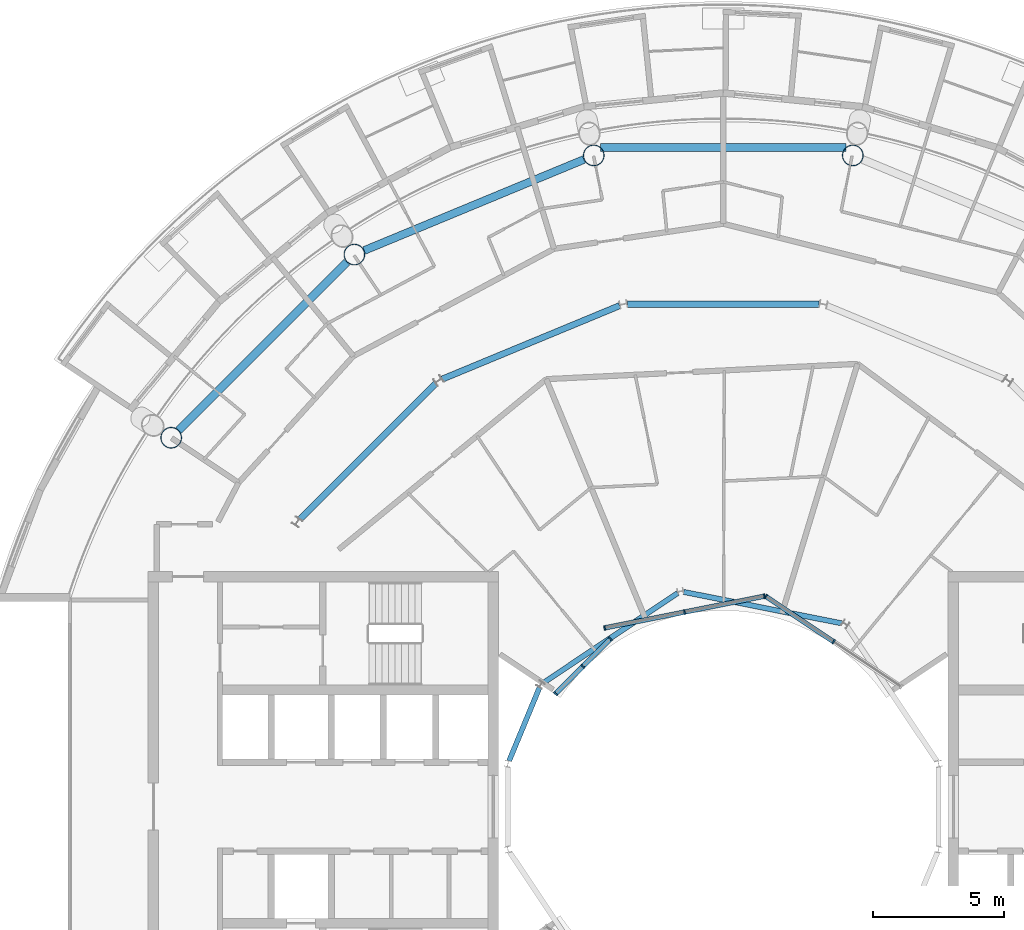
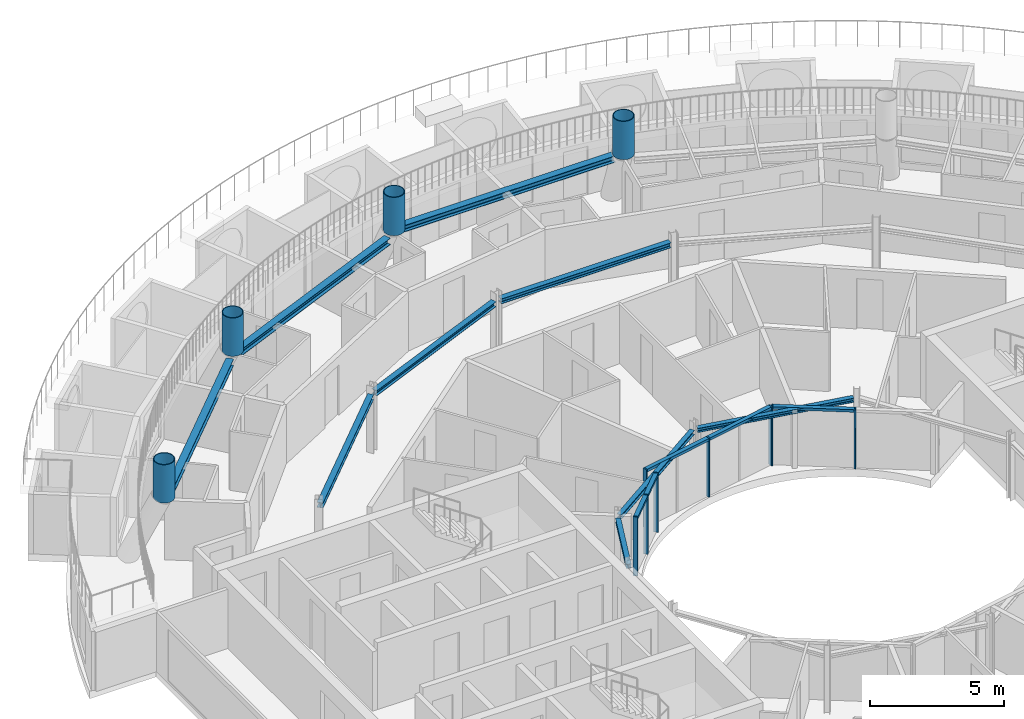
# One storey, part 9 of 29: 17 members, 9 beams, 3 elements without a shape of their own.
"""IFC4 building model written with IfcOpenShell, lengths in metres."""

from ifc_helpers import new_model, si_unit, direction, frame, origin, origin_2d, place, context, subcontext, project, spatial, rectangle, hollow_circle, i_section, extrude, material, layer, layer_set, material_profile, profile_set, type_object, element, aggregate, save


model = new_model("IFC4")

# Units and contexts
model_context = context("Model", 3, precision=1e-05, world=origin(), true_north=direction((0.0, 1.0)))
body_context = subcontext(model_context, "Body", "Model", "MODEL_VIEW")
ifc_project = project(units=[si_unit("LENGTHUNIT", "METRE"), si_unit("AREAUNIT", "SQUARE_METRE"), si_unit("VOLUMEUNIT", "CUBIC_METRE"), si_unit("PLANEANGLEUNIT", "RADIAN"), si_unit("MASSUNIT", "GRAM", prefix="KILO")], contexts=[model_context])

# Site, building, storey
site_placement = place(None, origin())
site = spatial("IfcSite", under=ifc_project, at=site_placement, CompositionType="ELEMENT")
building_placement = place(site_placement, origin())
building = spatial("IfcBuilding", under=site, at=building_placement, Name="Maasbend Ring Residences", CompositionType="ELEMENT")
storey_placement = place(building_placement, frame((0.0, 0.0, 234.050048828125)))
storey = spatial("IfcBuildingStorey", under=building, at=storey_placement, Name="L67", CompositionType="ELEMENT", Elevation=234.050048828125)

# Curtain wall, members
ifc_material_1 = material(Name="Aluminium and clear glass", Category="aluminium")
ifc_layer = layer(ifc_material_1, 0.179931640625)
ifc_layer_set = layer_set([ifc_layer], Name="CW-W")
curtain_wall_type = type_object("IfcCurtainWallType", Name="CW-W", PredefinedType="NOTDEFINED", material=ifc_layer_set)
curtain_wall_1_placement = place(storey_placement, origin())
curtain_wall_1 = element("IfcCurtainWall", 1, at=curtain_wall_1_placement, inside=storey, type_object=curtain_wall_type, Name="Well curtain wall N1", PredefinedType="NOTDEFINED")
ifc_material_2 = material(Name="Aluminium 6063-T6", Category="aluminium")
ifc_material_profile_1 = material_profile(ifc_material_2, rectangle(XDim=0.179931640625, YDim=0.06005859375, at=origin_2d()), Name="AL 180x60")
ifc_profile_set_1 = profile_set([ifc_material_profile_1], Name="Aluminium 6063-T6")
member_type_1 = type_object("IfcMemberType", Name="CWM-W", PredefinedType="MULLION", material=ifc_profile_set_1)
member_1_placement = place(storey_placement, frame((4.216796875, 6.310791015625, 0.0), z_axis=(0.0, 0.0, 1.0), x_axis=(-0.55557023302, -0.831469612303, 0.0)))
member_1 = element("IfcMember", 2, at=member_1_placement, type_object=member_type_1, Name="Mullion well face", PredefinedType="MULLION", context=body_context, shape_type="SweptSolid", body=[
    extrude(rectangle(XDim=0.179931640625, YDim=0.06005859375, at=origin_2d()), origin(), (0.0, 0.0, 1.0), 2.699951171875),
])
member_2_placement = place(storey_placement, frame((1.627685546875, 8.040771484375, 0.0), z_axis=(0.0, 0.0, 1.0), x_axis=(-0.55557023302, -0.831469612303, 0.0)))
member_2 = element("IfcMember", 3, at=member_2_placement, type_object=member_type_1, Name="Mullion well face", PredefinedType="MULLION", context=body_context, shape_type="SweptSolid", body=[
    extrude(rectangle(XDim=0.179931640625, YDim=0.06005859375, at=origin_2d()), origin(), (0.0, 0.0, 1.0), 2.699951171875),
])

curtain_wall_2_placement = place(storey_placement, origin())
curtain_wall_2 = element("IfcCurtainWall", 4, at=curtain_wall_2_placement, inside=storey, type_object=curtain_wall_type, Name="Well curtain wall N2", PredefinedType="NOTDEFINED")
member_3_placement = place(storey_placement, frame((1.5732421875, 8.0517578125, 0.0), z_axis=(0.0, 0.0, 1.0), x_axis=(0.195090322016, -0.980785280403, 0.0)))
member_3 = element("IfcMember", 5, at=member_3_placement, type_object=member_type_1, Name="Mullion well face", PredefinedType="MULLION", context=body_context, shape_type="SweptSolid", body=[
    extrude(rectangle(XDim=0.179931640625, YDim=0.06005859375, at=origin_2d()), origin(), (0.0, 0.0, 1.0), 2.699951171875),
])
member_4_placement = place(storey_placement, frame((-1.480712890625, 7.444091796875, 0.0), z_axis=(0.0, 0.0, 1.0), x_axis=(0.195090322016, -0.980785280403, 0.0)))
member_4 = element("IfcMember", 6, at=member_4_placement, type_object=member_type_1, Name="Mullion well face", PredefinedType="MULLION", context=body_context, shape_type="SweptSolid", body=[
    extrude(rectangle(XDim=0.179931640625, YDim=0.06005859375, at=origin_2d()), origin(), (0.0, 0.0, 1.0), 2.699951171875),
])
member_5_placement = place(storey_placement, frame((-4.53466796875, 6.836669921875, 0.0), z_axis=(0.0, 0.0, 1.0), x_axis=(0.195090322016, -0.980785280403, 0.0)))
member_5 = element("IfcMember", 7, at=member_5_placement, type_object=member_type_1, Name="Mullion well face", PredefinedType="MULLION", context=body_context, shape_type="SweptSolid", body=[
    extrude(rectangle(XDim=0.179931640625, YDim=0.06005859375, at=origin_2d()), origin(), (0.0, 0.0, 1.0), 2.699951171875),
])

curtain_wall_3_placement = place(storey_placement, origin())
curtain_wall_3 = element("IfcCurtainWall", 8, at=curtain_wall_3_placement, inside=storey, type_object=curtain_wall_type, Name="Well curtain wall N3", PredefinedType="NOTDEFINED")
member_6_placement = place(storey_placement, frame((-4.320556640625, 6.413330078125, 0.0), z_axis=(0.0, 0.0, 1.0), x_axis=(0.707106781187, -0.707106781187, 0.0)))
member_6 = element("IfcMember", 9, at=member_6_placement, type_object=member_type_1, Name="Mullion well face", PredefinedType="MULLION", context=body_context, shape_type="SweptSolid", body=[
    extrude(rectangle(XDim=0.179931640625, YDim=0.06005859375, at=origin_2d()), origin(), (0.0, 0.0, 1.0), 2.699951171875),
])
member_7_placement = place(storey_placement, frame((-5.366943359375, 5.366943359375, 0.0), z_axis=(0.0, 0.0, 1.0), x_axis=(0.707106781187, -0.707106781187, 0.0)))
member_7 = element("IfcMember", 10, at=member_7_placement, type_object=member_type_1, Name="Mullion well face", PredefinedType="MULLION", context=body_context, shape_type="SweptSolid", body=[
    extrude(rectangle(XDim=0.179931640625, YDim=0.06005859375, at=origin_2d()), origin(), (0.0, 0.0, 1.0), 2.699951171875),
])
member_8_placement = place(storey_placement, frame((-6.413330078125, 4.320556640625, 0.0), z_axis=(0.0, 0.0, 1.0), x_axis=(0.707106781187, -0.707106781187, 0.0)))
member_8 = element("IfcMember", 11, at=member_8_placement, type_object=member_type_1, Name="Mullion well face", PredefinedType="MULLION", context=body_context, shape_type="SweptSolid", body=[
    extrude(rectangle(XDim=0.179931640625, YDim=0.06005859375, at=origin_2d()), origin(), (0.0, 0.0, 1.0), 2.699951171875),
])

# Member
ifc_material_3 = material(Name="Aluminium 6063-T6", Category="aluminium")
ifc_material_profile_2 = material_profile(ifc_material_3, rectangle(XDim=0.179931640625, YDim=0.1201171875, at=origin_2d()), Name="AL 180x120")
ifc_profile_set_2 = profile_set([ifc_material_profile_2], Name="Aluminium 6063-T6")
member_type_2 = type_object("IfcMemberType", Name="CWT-W", PredefinedType="USERDEFINED", material=ifc_profile_set_2)
member_9_placement = place(storey_placement, frame((4.19189453125, 6.32763671875, 2.639892578125), z_axis=(-0.831496422459, 0.555530106689, 0.0), x_axis=(-0.555530106689, -0.831496422459, 0.0)))
member_9 = element("IfcMember", 12, at=member_9_placement, type_object=member_type_2, Name="Transom well face", ObjectType="TRANSOM", PredefinedType="USERDEFINED", context=body_context, shape_type="SweptSolid", body=[
    extrude(rectangle(XDim=0.179931640625, YDim=0.1201171875, at=origin_2d()), origin(), (0.0, 0.0, 1.0), 3.053955078125),
])

aggregate(curtain_wall_1, [member_1, member_2, member_9])

member_10_placement = place(storey_placement, frame((1.5439453125, 8.0458984375, 2.639892578125), z_axis=(-0.980776956105, -0.195132166424, 0.0), x_axis=(0.195132166424, -0.980776956105, 0.0)))
member_10 = element("IfcMember", 13, at=member_10_placement, type_object=member_type_2, Name="Transom well face", ObjectType="TRANSOM", PredefinedType="USERDEFINED", context=body_context, shape_type="SweptSolid", body=[
    extrude(rectangle(XDim=0.179931640625, YDim=0.1201171875, at=origin_2d()), origin(), (0.0, 0.0, 1.0), 3.053955078125),
])

member_11_placement = place(storey_placement, frame((-1.51025390625, 7.438232421875, 2.639892578125), z_axis=(-0.980789210404, -0.19507056353, 0.0), x_axis=(0.19507056353, -0.980789210404, 0.0)))
member_11 = element("IfcMember", 14, at=member_11_placement, type_object=member_type_2, Name="Transom well face", ObjectType="TRANSOM", PredefinedType="USERDEFINED", context=body_context, shape_type="SweptSolid", body=[
    extrude(rectangle(XDim=0.179931640625, YDim=0.1201171875, at=origin_2d()), origin(), (0.0, 0.0, 1.0), 3.0537109375),
])

aggregate(curtain_wall_2, [member_3, member_4, member_5, member_10, member_11])

member_12_placement = place(storey_placement, frame((-4.341796875, 6.39208984375, 2.639892578125), z_axis=(-0.707106781187, -0.707106781187, 0.0), x_axis=(0.707106781187, -0.707106781187, 0.0)))
member_12 = element("IfcMember", 15, at=member_12_placement, type_object=member_type_2, Name="Transom well face", ObjectType="TRANSOM", PredefinedType="USERDEFINED", context=body_context, shape_type="SweptSolid", body=[
    extrude(rectangle(XDim=0.179931640625, YDim=0.1201171875, at=origin_2d()), origin(), (0.0, 0.0, 1.0), 1.419677734375),
])

member_13_placement = place(storey_placement, frame((-5.38818359375, 5.345703125, 2.639892578125), z_axis=(-0.707106781187, -0.707106781187, 0.0), x_axis=(0.707106781187, -0.707106781187, 0.0)))
member_13 = element("IfcMember", 16, at=member_13_placement, type_object=member_type_2, Name="Transom well face", ObjectType="TRANSOM", PredefinedType="USERDEFINED", context=body_context, shape_type="SweptSolid", body=[
    extrude(rectangle(XDim=0.179931640625, YDim=0.1201171875, at=origin_2d()), origin(), (0.0, 0.0, 1.0), 1.419677734375),
])

aggregate(curtain_wall_3, [member_6, member_7, member_8, member_12, member_13])

# Members
ifc_material_4 = material(Name="Steel S460NH", Category="steel")
ifc_material_profile_3 = material_profile(ifc_material_4, hollow_circle(Radius=0.406494140625, WallThickness=0.030029296875, at=origin_2d()), Name="Column node insert CHS 813x30")
ifc_profile_set_3 = profile_set([ifc_material_profile_3], Name="Steel S460NH")
member_type_3 = type_object("IfcMemberType", Name="Column node insert CHS 813x30", PredefinedType="POST", material=ifc_profile_set_3)
for number, where, z_axis, x_axis, name in (
    (17, (4.955322265625, 24.911865234375, 2.800048828125), (0.0, 0.0, 1.0), (1.0, 0.0, 0.0), "Column node insert R4"),
    (18, (-4.955322265625, 24.911865234375, 2.800048828125), (0.0, 0.0, 1.0), (1.0, 0.0, 0.0), "Column node insert R5"),
    (19, (-14.111572265625, 21.119384765625, 2.800048828125), (0.0, 0.0, 1.0), (1.0, 0.0, 0.0), "Column node insert R6"),
    (20, (-21.119384765625, 14.111572265625, 2.800048828125), (0.0, 0.0, 1.0), (1.0, 0.0, 0.0), "Column node insert R7"),
):
    element("IfcMember", number, at=place(storey_placement, frame(where, z_axis=z_axis, x_axis=x_axis)), inside=storey, type_object=member_type_3, Name=name, PredefinedType="POST", context=body_context, shape_type="SweptSolid", body=[
        extrude(hollow_circle(Radius=0.406494140625, WallThickness=0.030029296875, at=origin_2d()), origin(), (0.0, 0.0, 1.0), 1.75),
    ])

# Beams
ifc_material_5 = material(Name="Steel S355J2", Category="steel")
ifc_material_profile_4 = material_profile(ifc_material_5, i_section(OverallWidth=0.239990234375, OverallDepth=0.22998046875, WebThickness=0.007568359375, FlangeThickness=0.011962890625, FilletRadius=0.02099609375, at=origin_2d()), Name="HEA 240")
ifc_profile_set_4 = profile_set([ifc_material_profile_4], Name="Steel S355J2")
beam_type_1 = type_object("IfcBeamType", Name="Corridor ring beam HEA 240", PredefinedType="BEAM", material=ifc_profile_set_4)
beam_1_placement = place(storey_placement, frame((3.6708984375, 19.223388671875, 2.5849609375), z_axis=(-1.0, 0.0, 0.0), x_axis=(0.0, -1.0, 0.0)))
element("IfcBeam", 21, at=beam_1_placement, inside=storey, type_object=beam_type_1, Name="Corridor ring beam", PredefinedType="BEAM", context=body_context, shape_type="SweptSolid", body=[
    extrude(i_section(OverallWidth=0.239990234375, OverallDepth=0.22998046875, WebThickness=0.007568359375, FlangeThickness=0.011962890625, FilletRadius=0.02099609375, at=origin_2d()), origin(), (0.0, 0.0, 1.0), 7.341796875),
])
beam_2_placement = place(storey_placement, frame((-3.965087890625, 19.164794921875, 2.5849609375), z_axis=(-0.923875784142, -0.382692481603, 0.0), x_axis=(0.382692481603, -0.923875784142, 0.0)))
element("IfcBeam", 22, at=beam_2_placement, inside=storey, type_object=beam_type_1, Name="Corridor ring beam", PredefinedType="BEAM", context=body_context, shape_type="SweptSolid", body=[
    extrude(i_section(OverallWidth=0.239990234375, OverallDepth=0.22998046875, WebThickness=0.007568359375, FlangeThickness=0.011962890625, FilletRadius=0.02099609375, at=origin_2d()), origin(), (0.0, 0.0, 1.0), 7.341552734375),
])
beam_3_placement = place(storey_placement, frame((-10.997314453125, 16.188720703125, 2.5849609375), z_axis=(-0.707106781187, -0.707106781187, 0.0), x_axis=(0.707106781187, -0.707106781187, 0.0)))
element("IfcBeam", 23, at=beam_3_placement, inside=storey, type_object=beam_type_1, Name="Corridor ring beam", PredefinedType="BEAM", context=body_context, shape_type="SweptSolid", body=[
    extrude(i_section(OverallWidth=0.239990234375, OverallDepth=0.22998046875, WebThickness=0.007568359375, FlangeThickness=0.011962890625, FilletRadius=0.02099609375, at=origin_2d()), origin(), (0.0, 0.0, 1.0), 7.341796875),
])
ifc_material_6 = material(Name="Steel S355J2", Category="steel")
ifc_material_profile_5 = material_profile(ifc_material_6, i_section(OverallWidth=0.300048828125, OverallDepth=0.300048828125, WebThickness=0.010986328125, FlangeThickness=0.01904296875, FilletRadius=0.027099609375, at=origin_2d()), Name="HEB 300")
ifc_profile_set_5 = profile_set([ifc_material_profile_5], Name="Steel S355J2")
beam_type_2 = type_object("IfcBeamType", Name="Spandrel ring beam HEB 300", PredefinedType="SPANDREL", material=ifc_profile_set_5)
beam_4_placement = place(storey_placement, frame((4.69873046875, 25.2119140625, 2.550048828125), z_axis=(-1.0, 0.0, 0.0), x_axis=(0.0, -1.0, 0.0)))
element("IfcBeam", 24, at=beam_4_placement, inside=storey, type_object=beam_type_2, Name="Spandrel ring beam", PredefinedType="SPANDREL", context=body_context, shape_type="SweptSolid", body=[
    extrude(i_section(OverallWidth=0.300048828125, OverallDepth=0.300048828125, WebThickness=0.010986328125, FlangeThickness=0.01904296875, FilletRadius=0.027099609375, at=origin_2d()), origin(), (0.0, 0.0, 1.0), 9.3974609375),
])
for number, where, z_axis, x_axis, name in (
    (25, (-5.330810546875, 24.75634765625, 2.550048828125), (-0.923880768897, -0.382680447453, 0.0), (0.382680447453, -0.923880768897, 0.0), "Spandrel ring beam"),
    (26, (-14.39892578125, 20.831787109375, 2.550048828125), (-0.707106781187, -0.707106781187, 0.0), (0.707106781187, -0.707106781187, 0.0), "Spandrel ring beam"),
):
    element("IfcBeam", number, at=place(storey_placement, frame(where, z_axis=z_axis, x_axis=x_axis)), inside=storey, type_object=beam_type_2, Name=name, PredefinedType="SPANDREL", context=body_context, shape_type="SweptSolid", body=[
        extrude(i_section(OverallWidth=0.300048828125, OverallDepth=0.300048828125, WebThickness=0.010986328125, FlangeThickness=0.01904296875, FilletRadius=0.027099609375, at=origin_2d()), origin(), (0.0, 0.0, 1.0), 9.097412109375),
    ])
ifc_material_7 = material(Name="Steel S355J2", Category="steel")
ifc_material_profile_6 = material_profile(ifc_material_7, i_section(OverallWidth=0.199951171875, OverallDepth=0.18994140625, WebThickness=0.006591796875, FlangeThickness=0.010009765625, FilletRadius=0.01806640625, at=origin_2d()), Name="HEA 200")
ifc_profile_set_6 = profile_set([ifc_material_profile_6], Name="Steel S355J2")
beam_type_3 = type_object("IfcBeamType", Name="Well edge beam HEA 200", PredefinedType="BEAM", material=ifc_profile_set_6)
for number, where, z_axis, x_axis, name in (
    (27, (4.544677734375, 7.008544921875, 2.60498046875), (-0.98078072474, 0.195113223486, 0.0), (-0.195113223486, -0.98078072474, 0.0), "Well edge beam"),
    (28, (-1.7421875, 8.16943359375, 2.60498046875), (-0.831484648286, -0.555547729421, 0.0), (0.555547729421, -0.831484648286, 0.0), "Well edge beam"),
):
    element("IfcBeam", number, at=place(storey_placement, frame(where, z_axis=z_axis, x_axis=x_axis)), inside=storey, type_object=beam_type_3, Name=name, PredefinedType="BEAM", context=body_context, shape_type="SweptSolid", body=[
        extrude(i_section(OverallWidth=0.199951171875, OverallDepth=0.18994140625, WebThickness=0.006591796875, FlangeThickness=0.010009765625, FilletRadius=0.01806640625, at=origin_2d()), origin(), (0.0, 0.0, 1.0), 6.18017578125),
    ])
beam_5_placement = place(storey_placement, frame((-7.029296875, 4.55859375, 2.60498046875), z_axis=(-0.382609241817, -0.923910259753, 0.0), x_axis=(0.923910259753, -0.382609241817, 0.0)))
element("IfcBeam", 29, at=beam_5_placement, inside=storey, type_object=beam_type_3, Name="Well edge beam", PredefinedType="BEAM", context=body_context, shape_type="SweptSolid", body=[
    extrude(i_section(OverallWidth=0.199951171875, OverallDepth=0.18994140625, WebThickness=0.006591796875, FlangeThickness=0.010009765625, FilletRadius=0.01806640625, at=origin_2d()), origin(), (0.0, 0.0, 1.0), 3.04296875),
])

save(model, "model.ifc")
